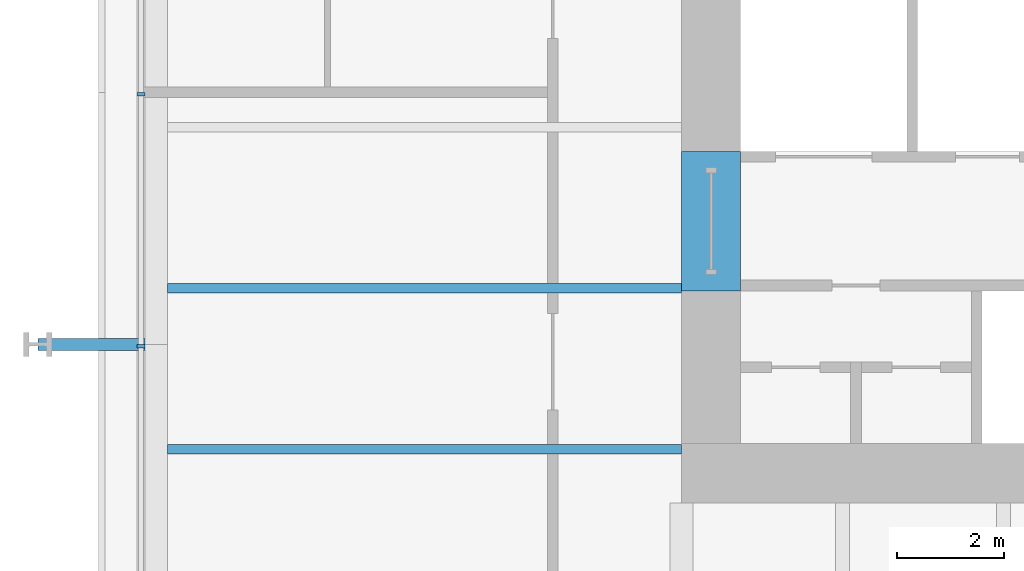
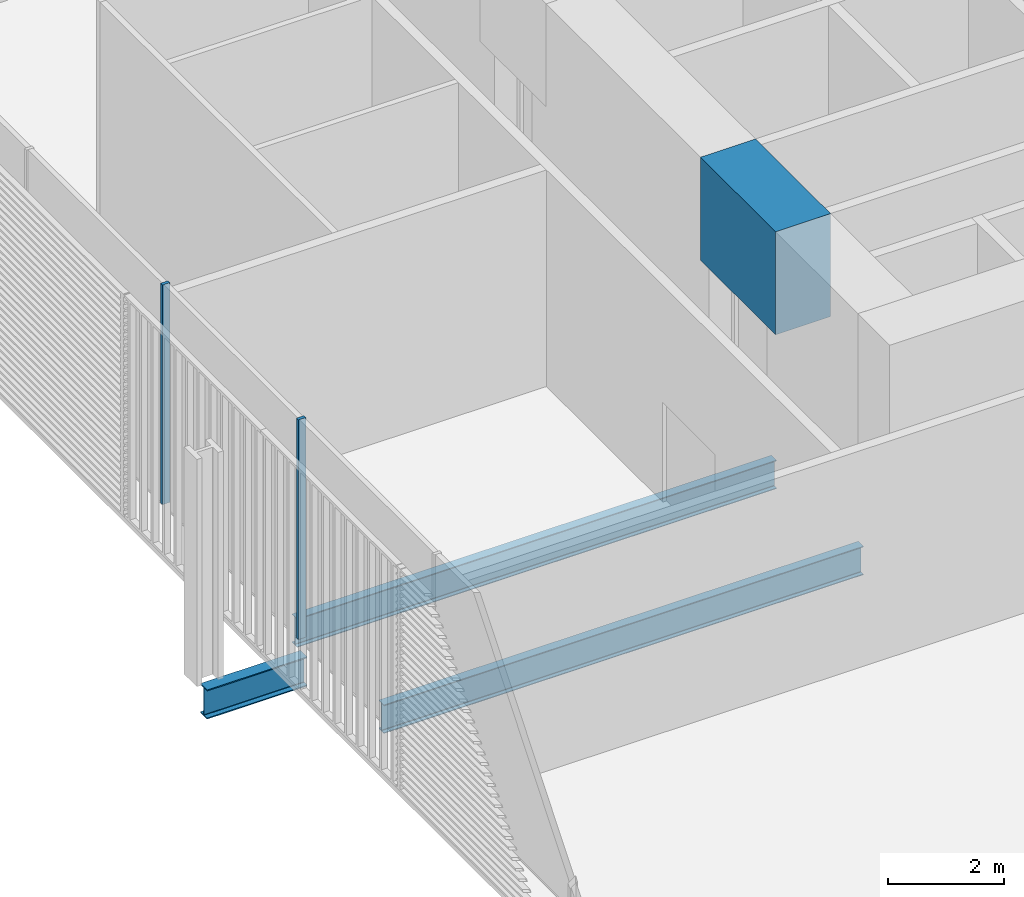
# One storey, part 5 of 22: 4 beams, 2 members, 1 element without a shape of its own.
"""IFC4 building model written with IfcOpenShell, lengths in metres."""

from ifc_helpers import new_model, si_unit, direction, frame, origin, origin_2d, place, context, subcontext, project, spatial, rectangle, i_section, extrude, material, layer, layer_set, material_profile, profile_set, type_object, element, aggregate, save


model = new_model("IFC4")

# Units and contexts
model_context = context("Model", 3, precision=1e-05, world=origin(), true_north=direction((0.0, 1.0)))
body_context = subcontext(model_context, "Body", "Model", "MODEL_VIEW")
ifc_project = project(units=[si_unit("LENGTHUNIT", "METRE"), si_unit("AREAUNIT", "SQUARE_METRE"), si_unit("VOLUMEUNIT", "CUBIC_METRE"), si_unit("PLANEANGLEUNIT", "RADIAN"), si_unit("MASSUNIT", "GRAM", prefix="KILO")], contexts=[model_context])

# Site, building, storey
site_placement = place(None, origin())
site = spatial("IfcSite", under=ifc_project, at=site_placement, CompositionType="ELEMENT")
building_placement = place(site_placement, origin())
building = spatial("IfcBuilding", under=site, at=building_placement, Name="Millrace Tower", CompositionType="ELEMENT")
storey_placement = place(building_placement, frame((0.0, 0.0, 49.699951171875)))
storey = spatial("IfcBuildingStorey", under=building, at=storey_placement, Name="L11", CompositionType="ELEMENT", Elevation=49.699951171875)

# Curtain wall, members
ifc_material_1 = material(Name="Aluminium and glass", Category="aluminium")
ifc_layer = layer(ifc_material_1, 0.14990234375)
ifc_layer_set = layer_set([ifc_layer], Name="Aluminium and glass")
curtain_wall_type = type_object("IfcCurtainWallType", Name="CW-2 data hall insulated curtain wall", PredefinedType="NOTDEFINED", material=ifc_layer_set)
curtain_wall_placement = place(storey_placement, origin())
curtain_wall = element("IfcCurtainWall", 1, at=curtain_wall_placement, inside=storey, type_object=curtain_wall_type, Name="Curtain wall A-F08 L11", PredefinedType="NOTDEFINED")
ifc_material_2 = material(Name="Aluminium", Category="aluminium")
ifc_material_profile_1 = material_profile(ifc_material_2, rectangle(XDim=0.06494140625, YDim=0.14990234375, at=origin_2d()))
ifc_profile_set_1 = profile_set([ifc_material_profile_1], Name="Aluminium")
member_type = type_object("IfcMemberType", Name="CW-2 data hall insulated curtain wall mullion", PredefinedType="MULLION", material=ifc_profile_set_1)
member_1_placement = place(storey_placement, frame((-25.074951171875, -2.382568359375, 0.16015625), z_axis=(0.0, 0.0, 1.0), x_axis=(0.0, -1.0, 0.0)))
member_1 = element("IfcMember", 2, at=member_1_placement, type_object=member_type, Name="CW2 mullion A-F08.6", PredefinedType="MULLION", context=body_context, shape_type="SweptSolid", body=[
    extrude(rectangle(XDim=0.06494140625, YDim=0.14990234375, at=origin_2d()), origin(), (0.0, 0.0, 1.0), 4.639892578125),
])
member_2_placement = place(storey_placement, frame((-25.074951171875, -7.08251953125, 0.16015625), z_axis=(0.0, 0.0, 1.0), x_axis=(0.0, -1.0, 0.0)))
member_2 = element("IfcMember", 3, at=member_2_placement, type_object=member_type, Name="CW2 mullion A-F08.7", PredefinedType="MULLION", context=body_context, shape_type="SweptSolid", body=[
    extrude(rectangle(XDim=0.06494140625, YDim=0.14990234375, at=origin_2d()), origin(), (0.0, 0.0, 1.0), 4.639892578125),
])
aggregate(curtain_wall, [member_1, member_2])

# Beams
ifc_material_3 = material(Name="Concrete C80", Category="concrete")
ifc_material_profile_2 = material_profile(ifc_material_3, rectangle(XDim=1.10009765625, YDim=2.175048828125, at=origin_2d()))
ifc_profile_set_2 = profile_set([ifc_material_profile_2], Name="Concrete C80")
beam_type_1 = type_object("IfcBeamType", Name="Coupling beam 1100 x 2175 Concrete C80, 2000 opening", PredefinedType="BEAM", material=ifc_profile_set_2)
beam_1_placement = place(storey_placement, frame((-14.449951171875, -6.050048828125, 3.487548828125), z_axis=(0.0, 1.0, 0.0), x_axis=(-1.0, 0.0, 0.0)))
element("IfcBeam", 4, at=beam_1_placement, inside=storey, type_object=beam_type_1, Name="Coupling beam W L11", PredefinedType="BEAM", context=body_context, shape_type="SweptSolid", body=[
    extrude(rectangle(XDim=1.10009765625, YDim=2.175048828125, at=origin_2d()), origin(), (0.0, 0.0, 1.0), 2.60009765625),
])
ifc_material_4 = material(Name="Steel ASTM A992 Grade 50", Category="steel")
ifc_material_profile_3 = material_profile(ifc_material_4, i_section(OverallWidth=0.1787109375, OverallDepth=0.60205078125, WebThickness=0.010986328125, FlangeThickness=0.014892578125, FilletRadius=0.0126953125, at=origin_2d()))
ifc_profile_set_3 = profile_set([ifc_material_profile_3], Name="Steel ASTM A992 Grade 50")
beam_type_2 = type_object("IfcBeamType", Name="Floor beam W24x62", PredefinedType="JOIST", material=ifc_profile_set_3)
for number, where, z_axis, x_axis, name in (
    (5, (-24.578369140625, -9.0, -0.52587890625), (1.0, 0.0, 0.0), (0.0, 1.0, 0.0), "BM-A-L11-S1-S012"),
    (6, (-24.578369140625, -6.0, -0.52587890625), (1.0, 0.0, 0.0), (0.0, 1.0, 0.0), "BM-A-L11-S1-S015"),
):
    element("IfcBeam", number, at=place(storey_placement, frame(where, z_axis=z_axis, x_axis=x_axis)), inside=storey, type_object=beam_type_2, Name=name, PredefinedType="JOIST", context=body_context, shape_type="SweptSolid", body=[
        extrude(i_section(OverallWidth=0.1787109375, OverallDepth=0.60205078125, WebThickness=0.010986328125, FlangeThickness=0.014892578125, FilletRadius=0.0126953125, at=origin_2d()), origin(), (0.0, 0.0, 1.0), 9.578369140625),
    ])
ifc_material_5 = material(Name="Steel ASTM A992 Grade 50", Category="steel")
ifc_material_profile_4 = material_profile(ifc_material_5, i_section(OverallWidth=0.23046875, OverallDepth=0.6171875, WebThickness=0.01318359375, FlangeThickness=0.022216796875, FilletRadius=0.012939453125, at=origin_2d()))
ifc_profile_set_4 = profile_set([ifc_material_profile_4], Name="Steel ASTM A992 Grade 50")
beam_type_3 = type_object("IfcBeamType", Name="Link beam W24x94", PredefinedType="BEAM", material=ifc_profile_set_4)
beam_2_placement = place(storey_placement, frame((-25.0, -7.050048828125, -0.533447265625), z_axis=(-1.0, 0.0, 0.0), x_axis=(0.0, -1.0, 0.0)))
element("IfcBeam", 7, at=beam_2_placement, inside=storey, type_object=beam_type_3, Name="LNK-A-L11-S1-02", PredefinedType="BEAM", context=body_context, shape_type="SweptSolid", body=[
    extrude(i_section(OverallWidth=0.23046875, OverallDepth=0.6171875, WebThickness=0.01318359375, FlangeThickness=0.022216796875, FilletRadius=0.012939453125, at=origin_2d()), origin(), (0.0, 0.0, 1.0), 2.0),
])

save(model, "model.ifc")
